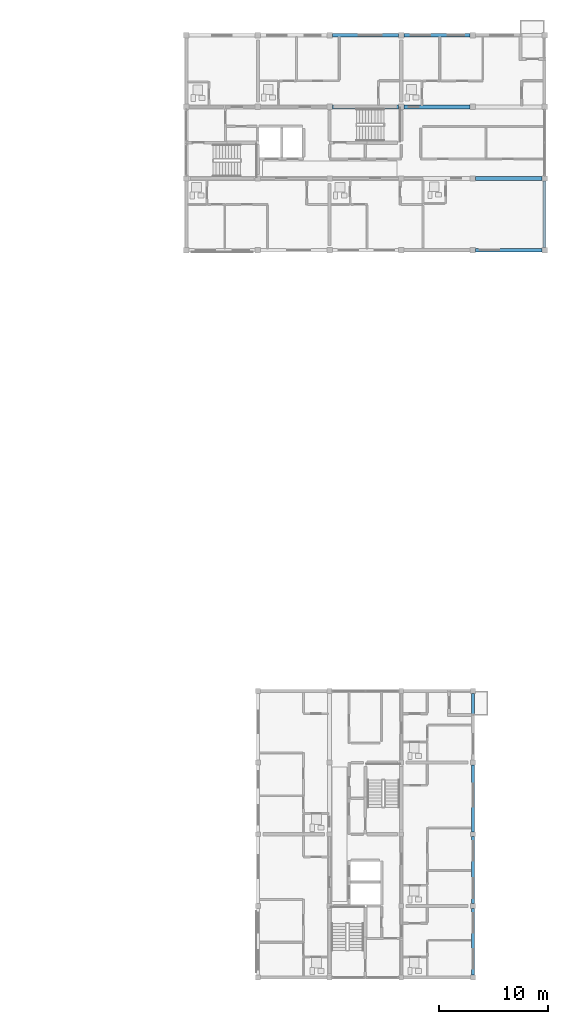
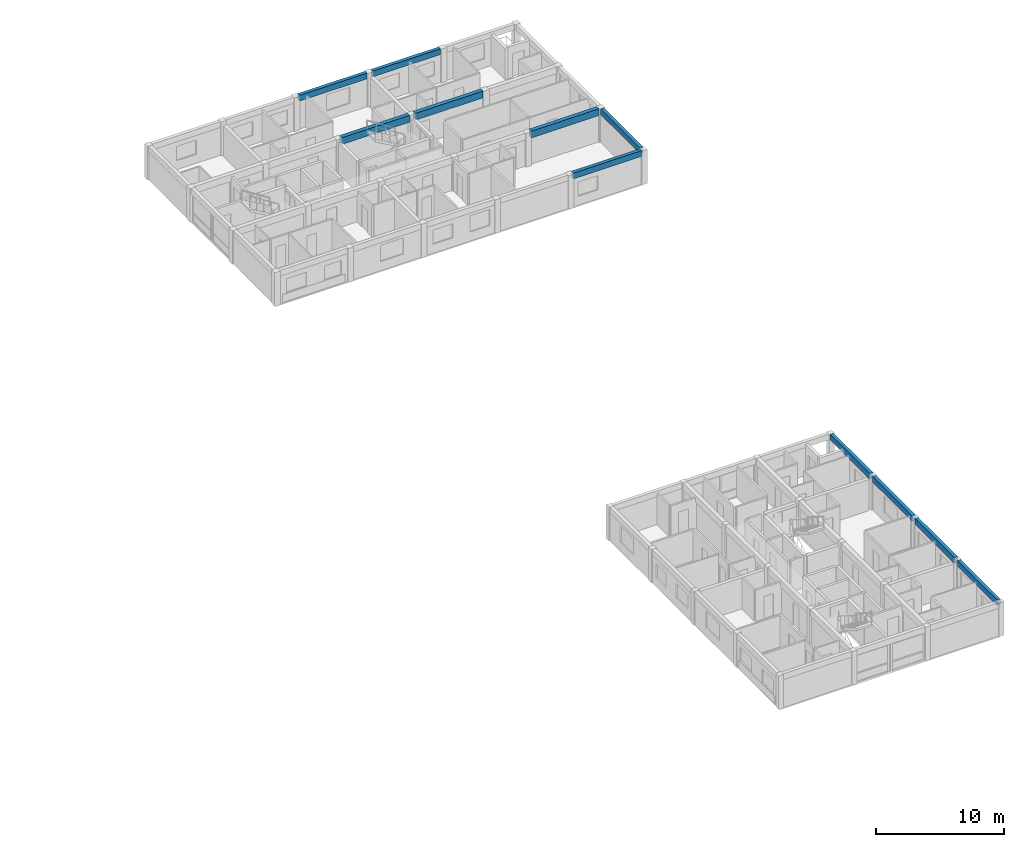
# One storey, part 20 of 46: 11 beams.
"""IFC4 building model written with IfcOpenShell, lengths in metres."""

from ifc_helpers import new_model, si_unit, direction, frame, origin, origin_2d, place, context, subcontext, project, spatial, rectangle, extrude, material, material_profile, profile_set, type_object, element, save


model = new_model("IFC4")

# Units and contexts
model_context = context("Model", 3, precision=1e-05, world=origin(), true_north=direction((0.0, 1.0)))
body_context = subcontext(model_context, "Body", "Model", "MODEL_VIEW")
ifc_project = project(units=[si_unit("LENGTHUNIT", "METRE"), si_unit("AREAUNIT", "SQUARE_METRE"), si_unit("VOLUMEUNIT", "CUBIC_METRE"), si_unit("PLANEANGLEUNIT", "RADIAN"), si_unit("MASSUNIT", "GRAM", prefix="KILO")], contexts=[model_context])

# Site, building, storey
site_placement = place(None, origin())
site = spatial("IfcSite", under=ifc_project, at=site_placement, CompositionType="ELEMENT")
building_placement = place(site_placement, origin())
building = spatial("IfcBuilding", under=site, at=building_placement, Name="Kernevlak Ridge Housing Community", CompositionType="ELEMENT")
storey_placement = place(building_placement, frame((0.0, 0.0, 27.60009765625)))
storey = spatial("IfcBuildingStorey", under=building, at=storey_placement, Name="L08", CompositionType="ELEMENT", Elevation=27.60009765625)

# Beams
ifc_material = material(Name="Concrete C35/45", Category="concrete")
ifc_material_profile_1 = material_profile(ifc_material, rectangle(XDim=0.35009765625, YDim=0.64990234375, at=origin_2d()), Name="RC 350x650")
ifc_profile_set_1 = profile_set([ifc_material_profile_1], Name="Concrete C35/45")
beam_type_1 = type_object("IfcBeamType", Name="B-02", PredefinedType="BEAM", material=ifc_profile_set_1)
for number, where, z_axis, x_axis, name in (
    (1, (146.050048828125, 89.199951171875, 2.875), (1.0, 0.0, 0.0), (0.0, 1.0, 0.0), "Beam B-02 L08 794"),
    (2, (132.85009765625, 95.800048828125, 2.875), (1.0, 0.0, 0.0), (0.0, 1.0, 0.0), "Beam B-02 L08 797"),
):
    element("IfcBeam", number, at=place(storey_placement, frame(where, z_axis=z_axis, x_axis=x_axis)), inside=storey, type_object=beam_type_1, Name=name, PredefinedType="BEAM", context=body_context, shape_type="SweptSolid", body=[
        extrude(rectangle(XDim=0.35009765625, YDim=0.64990234375, at=origin_2d()), origin(), (0.0, 0.0, 1.0), 6.099853515625),
    ])
beam_1_placement = place(storey_placement, frame((139.449951171875, 95.800048828125, 2.875), z_axis=(1.0, 0.0, 0.0), x_axis=(0.0, 1.0, 0.0)))
element("IfcBeam", 3, at=beam_1_placement, inside=storey, type_object=beam_type_1, Name="Beam B-02 L08 798", PredefinedType="BEAM", context=body_context, shape_type="SweptSolid", body=[
    extrude(rectangle(XDim=0.35009765625, YDim=0.64990234375, at=origin_2d()), origin(), (0.0, 0.0, 1.0), 6.10009765625),
])
ifc_material_profile_2 = material_profile(ifc_material, rectangle(XDim=0.300048828125, YDim=0.550048828125, at=origin_2d()), Name="RC 300x550")
ifc_profile_set_2 = profile_set([ifc_material_profile_2], Name="Concrete C35/45")
beam_type_2 = type_object("IfcBeamType", Name="SP-01", PredefinedType="SPANDREL", material=ifc_profile_set_2)
for number, where, z_axis, x_axis, name in (
    (4, (146.050048828125, 82.60009765625, 2.9248046875), (1.0, 0.0, 0.0), (0.0, 1.0, 0.0), "Beam SP-01 L08 789"),
    (5, (132.85009765625, 102.39990234375, 2.9248046875), (1.0, 0.0, 0.0), (0.0, 1.0, 0.0), "Beam SP-01 L08 802"),
):
    element("IfcBeam", number, at=place(storey_placement, frame(where, z_axis=z_axis, x_axis=x_axis)), inside=storey, type_object=beam_type_2, Name=name, PredefinedType="SPANDREL", context=body_context, shape_type="SweptSolid", body=[
        extrude(rectangle(XDim=0.300048828125, YDim=0.550048828125, at=origin_2d()), origin(), (0.0, 0.0, 1.0), 6.099853515625),
    ])
beam_2_placement = place(storey_placement, frame((139.449951171875, 102.39990234375, 2.9248046875), z_axis=(1.0, 0.0, 0.0), x_axis=(0.0, 1.0, 0.0)))
element("IfcBeam", 6, at=beam_2_placement, inside=storey, type_object=beam_type_2, Name="Beam SP-01 L08 803", PredefinedType="SPANDREL", context=body_context, shape_type="SweptSolid", body=[
    extrude(rectangle(XDim=0.300048828125, YDim=0.550048828125, at=origin_2d()), origin(), (0.0, 0.0, 1.0), 6.10009765625),
])
beam_3_placement = place(storey_placement, frame((152.39990234375, 82.85009765625, 2.9248046875), z_axis=(0.0, 1.0, 0.0), x_axis=(-1.0, 0.0, 0.0)))
element("IfcBeam", 7, at=beam_3_placement, inside=storey, type_object=beam_type_2, Name="Beam SP-01 L08 808", PredefinedType="SPANDREL", context=body_context, shape_type="SweptSolid", body=[
    extrude(rectangle(XDim=0.300048828125, YDim=0.550048828125, at=origin_2d()), origin(), (0.0, 0.0, 1.0), 6.099853515625),
])
beam_4_placement = place(storey_placement, frame((145.800048828125, 15.824951171875, 2.9248046875), z_axis=(0.0, 1.0, 0.0), x_axis=(-1.0, 0.0, 0.0)))
element("IfcBeam", 8, at=beam_4_placement, inside=storey, type_object=beam_type_2, Name="Beam SP-01 L08 1190", PredefinedType="SPANDREL", context=body_context, shape_type="SweptSolid", body=[
    extrude(rectangle(XDim=0.300048828125, YDim=0.550048828125, at=origin_2d()), origin(), (0.0, 0.0, 1.0), 6.150146484375),
])
beam_5_placement = place(storey_placement, frame((145.800048828125, 22.425048828125, 2.9248046875), z_axis=(0.0, 1.0, 0.0), x_axis=(-1.0, 0.0, 0.0)))
element("IfcBeam", 9, at=beam_5_placement, inside=storey, type_object=beam_type_2, Name="Beam SP-01 L08 1191", PredefinedType="SPANDREL", context=body_context, shape_type="SweptSolid", body=[
    extrude(rectangle(XDim=0.300048828125, YDim=0.550048828125, at=origin_2d()), origin(), (0.0, 0.0, 1.0), 6.14990234375),
])
beam_6_placement = place(storey_placement, frame((145.800048828125, 29.02490234375, 2.9248046875), z_axis=(0.0, 1.0, 0.0), x_axis=(-1.0, 0.0, 0.0)))
element("IfcBeam", 10, at=beam_6_placement, inside=storey, type_object=beam_type_2, Name="Beam SP-01 L08 1192", PredefinedType="SPANDREL", context=body_context, shape_type="SweptSolid", body=[
    extrude(rectangle(XDim=0.300048828125, YDim=0.550048828125, at=origin_2d()), origin(), (0.0, 0.0, 1.0), 6.150146484375),
])
beam_7_placement = place(storey_placement, frame((145.800048828125, 35.625, 2.9248046875), z_axis=(0.0, 1.0, 0.0), x_axis=(-1.0, 0.0, 0.0)))
element("IfcBeam", 11, at=beam_7_placement, inside=storey, type_object=beam_type_2, Name="Beam SP-01 L08 1193", PredefinedType="SPANDREL", context=body_context, shape_type="SweptSolid", body=[
    extrude(rectangle(XDim=0.300048828125, YDim=0.550048828125, at=origin_2d()), origin(), (0.0, 0.0, 1.0), 6.14990234375),
])

save(model, "model.ifc")
